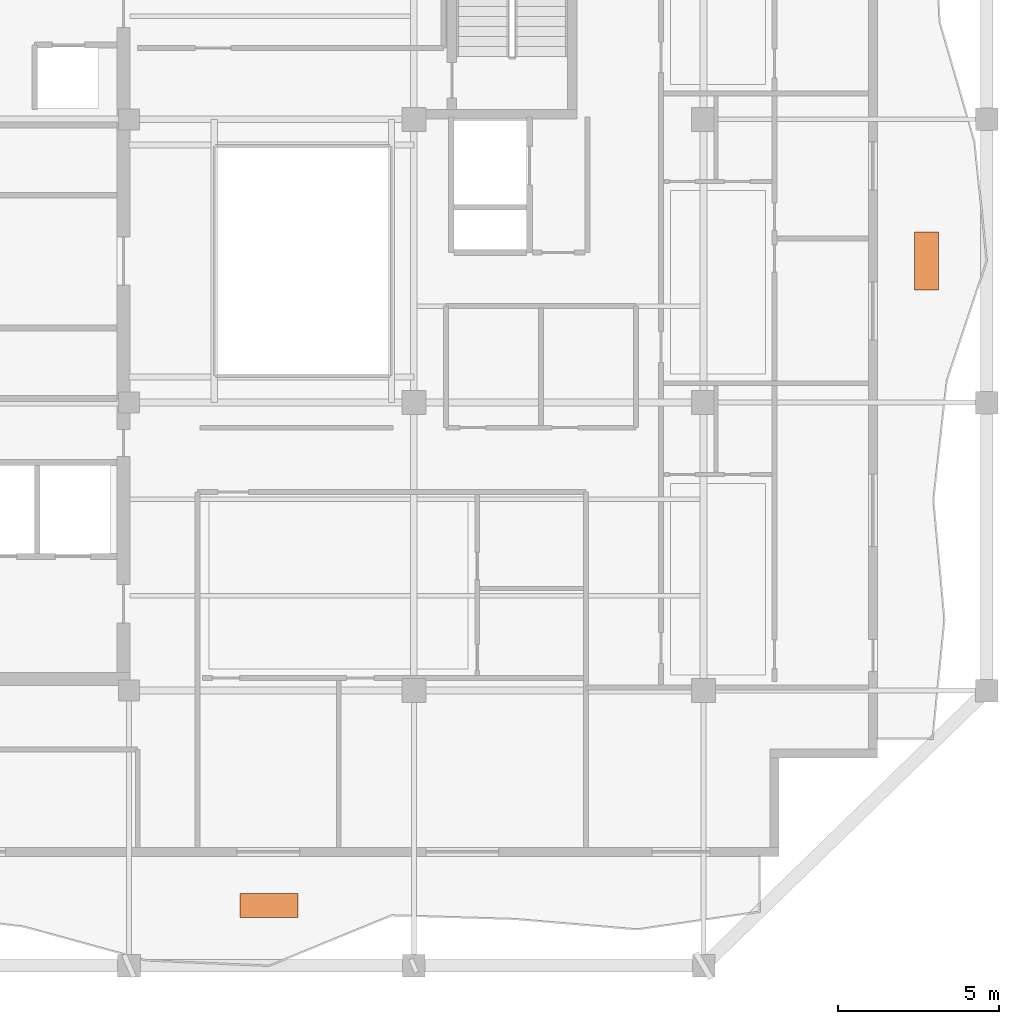
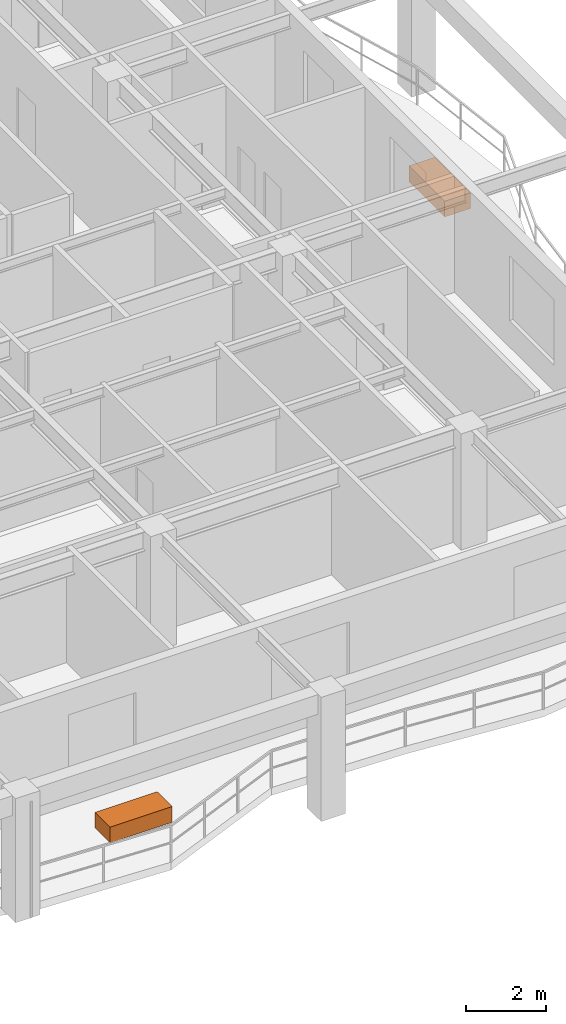
# One storey, part 10 of 10: 2 proxies.
"""IFC4 building model written with IfcOpenShell, lengths in metres."""

from ifc_helpers import new_model, si_unit, direction, frame, origin, origin_2d, place, context, subcontext, project, spatial, rectangle, extrude, material, type_object, element, save


model = new_model("IFC4")

# Units and contexts
model_context = context("Model", 3, precision=1e-05, world=origin(), true_north=direction((0.0, 1.0)))
body_context = subcontext(model_context, "Body", "Model", "MODEL_VIEW")
ifc_project = project(units=[si_unit("LENGTHUNIT", "METRE"), si_unit("AREAUNIT", "SQUARE_METRE"), si_unit("VOLUMEUNIT", "CUBIC_METRE"), si_unit("PLANEANGLEUNIT", "RADIAN"), si_unit("MASSUNIT", "GRAM", prefix="KILO")], contexts=[model_context])

# Site, building, storey
site_placement = place(None, origin())
site = spatial("IfcSite", under=ifc_project, at=site_placement, CompositionType="ELEMENT")
building_placement = place(site_placement, origin())
building = spatial("IfcBuilding", under=site, at=building_placement, Name="Kundavana Baori Tower", CompositionType="ELEMENT")
storey_placement = place(building_placement, frame((0.0, 0.0, 316.300048828125)))
storey = spatial("IfcBuildingStorey", under=building, at=storey_placement, Name="L78", CompositionType="ELEMENT", Elevation=316.300048828125)

# Proxies
ifc_material = material(Name="Red-Buff Dholpur Sandstone Cladding on Concrete C40/50", Category="masonry")
building_element_proxy_type = type_object("IfcBuildingElementProxyType", Name="PRX-PLANTER-1800", PredefinedType="USERDEFINED", material=ifc_material)
for number, where, z_axis, x_axis, name in (
    (1, (29.300048828125, 8.570068359375, 0.0), (0.0, 0.0, 1.0), (1.0, 0.0, 0.0), "L78 Dholpur Stone Structural Tree Planter S"),
    (2, (49.72998046875, 28.60009765625, 0.0), (0.0, 0.0, 1.0), (0.0, 1.0, 0.0), "L78 Dholpur Stone Structural Tree Planter E"),
):
    element("IfcBuildingElementProxy", number, at=place(storey_placement, frame(where, z_axis=z_axis, x_axis=x_axis)), inside=storey, type_object=building_element_proxy_type, Name=name, ObjectType="PLANTER", PredefinedType="USERDEFINED", context=body_context, shape_type="SweptSolid", body=[
        extrude(rectangle(XDim=1.800048828125, YDim=0.75, at=origin_2d()), origin(), (0.0, 0.0, 1.0), 0.47998046875),
    ])

save(model, "model.ifc")
